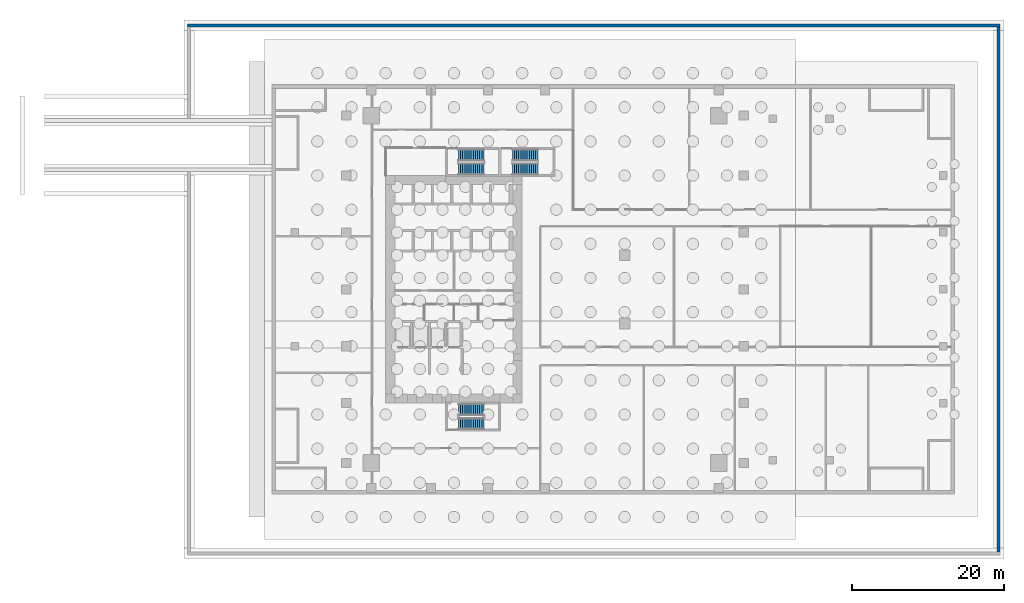
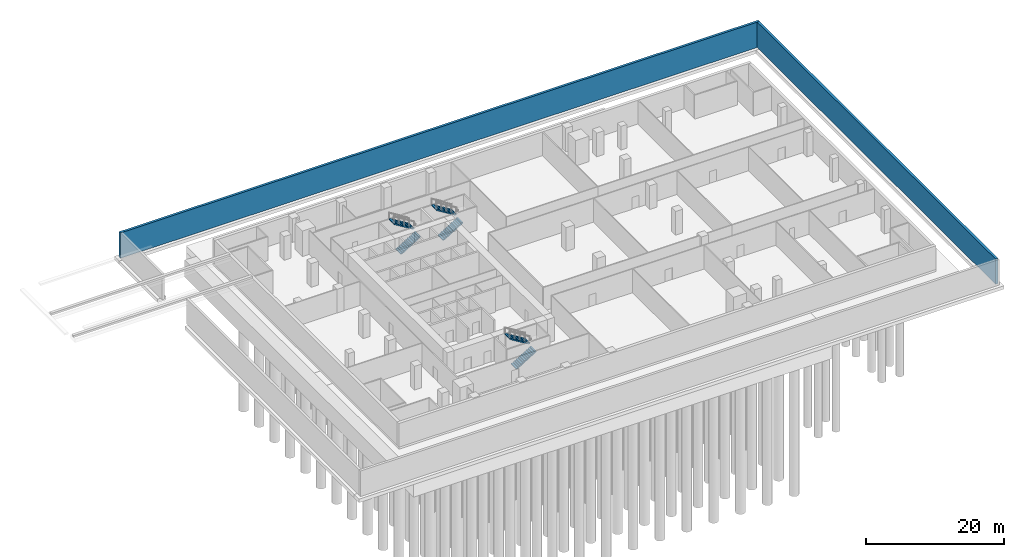
# One storey, part 8 of 10: 6 stair flights, 2 walls, 3 elements without a shape of their own.
"""IFC4 building model written with IfcOpenShell, lengths in metres."""

import ifcopenshell
import ifcopenshell.guid

model = None  # the IFC model being written
_history = None  # IfcOwnerHistory: only IFC2X3 demands one
_inside = {}  # id of a spatial element -> (the spatial element, [elements in it])
_under = {}  # id of a project, library or spatial element -> (it, [spatial elements below it])
_declared = {}  # id of a project -> (the project, [libraries it declares])
_typed = {}  # id of a type object -> (the type object, [elements of that type])
_made_of = {}  # id of a material, layer set ... -> (it, [elements and type objects made of it])


def new_model(schema):
    """Start an empty IFC model of exactly this schema.

    Asked for "IFC4X3", IfcOpenShell would pick the latest addendum, in which some entities
    have other attributes; the version numbers below select the first issue.
    IFC2X3 requires an IfcOwnerHistory on every rooted entity: one is made here for all.
    """
    global model, _history
    if schema == "IFC4X3":
        model = ifcopenshell.file(schema_version=(4, 3, 0, 0))
    else:
        model = ifcopenshell.file(schema=schema)
    _inside.clear()
    _under.clear()
    _declared.clear()
    _typed.clear()
    _made_of.clear()
    _history = None
    if model.schema == "IFC2X3":
        org = make("IfcOrganization", Name="unknown")
        user = make(
            "IfcPersonAndOrganization",
            ThePerson=make("IfcPerson", FamilyName="unknown"),
            TheOrganization=org,
        )
        app = make(
            "IfcApplication",
            ApplicationDeveloper=org,
            Version="unknown",
            ApplicationFullName="unknown",
            ApplicationIdentifier="unknown",
        )
        _history = make(
            "IfcOwnerHistory",
            OwningUser=user,
            OwningApplication=app,
            ChangeAction="ADDED",
            CreationDate=0,
        )
    return model


def make(cls, **values):
    """One entity of the class cls with the attributes given. An attribute that is None is left unset."""
    return model.create_entity(
        cls, **{name: value for name, value in values.items() if value is not None}
    )


def rooted(cls, **values):
    """An entity with a GlobalId (a new one), such as an element, a storey or a relation."""
    return make(cls, GlobalId=ifcopenshell.guid.new(), OwnerHistory=_history, **values)


def si_unit(unit_type, name, prefix=None):
    """IfcSIUnit, for example si_unit("LENGTHUNIT", "METRE", prefix="MILLI")."""
    return make("IfcSIUnit", UnitType=unit_type, Prefix=prefix, Name=name)


def assignment(units):
    """IfcUnitAssignment: the units of a project."""
    return None if units is None else make("IfcUnitAssignment", Units=units)


def point(xyz):
    """IfcCartesianPoint."""
    return None if xyz is None else make("IfcCartesianPoint", Coordinates=xyz)


def direction(xyz):
    """IfcDirection."""
    return None if xyz is None else make("IfcDirection", DirectionRatios=xyz)


def frame(location, z_axis=None, x_axis=None):
    """IfcAxis2Placement3D, a coordinate frame: its origin and axes. An axis left out is left unset."""
    return make(
        "IfcAxis2Placement3D",
        Location=point(location),
        Axis=direction(z_axis),
        RefDirection=direction(x_axis),
    )


def frame_2d(location, x_axis=None):
    """IfcAxis2Placement2D, a coordinate frame in the plane: its origin and x axis."""
    return make(
        "IfcAxis2Placement2D", Location=point(location), RefDirection=direction(x_axis)
    )


def origin():
    """The frame at (0, 0, 0) with its axes left unset."""
    return frame((0.0, 0.0, 0.0))


def place(relative_to, where):
    """IfcLocalPlacement: puts the frame where relative to a parent placement (None: the world)."""
    return make(
        "IfcLocalPlacement", PlacementRelTo=relative_to, RelativePlacement=where
    )


def context(
    kind, dimensions, precision=None, world=None, true_north=None, identifier=None
):
    """IfcGeometricRepresentationContext, for example the 3D "Model" context."""
    return make(
        "IfcGeometricRepresentationContext",
        ContextIdentifier=identifier,
        ContextType=kind,
        CoordinateSpaceDimension=dimensions,
        Precision=precision,
        WorldCoordinateSystem=world,
        TrueNorth=true_north,
    )


def subcontext(parent, identifier, kind, view, scale=None):
    """IfcGeometricRepresentationSubContext, for example "Body" below "Model"."""
    return make(
        "IfcGeometricRepresentationSubContext",
        ContextIdentifier=identifier,
        ContextType=kind,
        ParentContext=parent,
        TargetScale=scale,
        TargetView=view,
    )


def project(units=None, contexts=None):
    """IfcProject with its units and contexts."""
    return rooted(
        "IfcProject",
        Name="project",
        RepresentationContexts=contexts,
        UnitsInContext=assignment(units),
    )


def spatial(cls, under=None, at=None, **own):
    """A site, building, storey or space (cls), placed at a placement, below another one or the project."""
    s = rooted(cls, ObjectPlacement=at, **own)
    if under is not None:
        _under.setdefault(under.id(), (under, []))[1].append(s)
    return s


def polyline(points):
    """IfcPolyline through the points."""
    return make("IfcPolyline", Points=[point(p) for p in points])


def profile(cls, at=None, kind="AREA", **sizes):
    """A parametric profile (cls). Its sizes go by their IFC names, for example OverallWidth=200.0."""
    return make(cls, ProfileType=kind, Position=at, **sizes)


def rectangle(**sizes):
    """IfcRectangleProfileDef."""
    return profile("IfcRectangleProfileDef", **sizes)


def outline(outer, holes=None, kind="AREA"):
    """IfcArbitraryClosedProfileDef: a profile drawn as a closed curve; with holes, ...WithVoids."""
    if holes is None:
        return make("IfcArbitraryClosedProfileDef", ProfileType=kind, OuterCurve=outer)
    return make(
        "IfcArbitraryProfileDefWithVoids",
        ProfileType=kind,
        OuterCurve=outer,
        InnerCurves=holes,
    )


def extrude(swept, where, along, depth):
    """IfcExtrudedAreaSolid: the profile swept, set in the frame where, extruded along a direction by depth."""
    return make(
        "IfcExtrudedAreaSolid",
        SweptArea=swept,
        Position=where,
        ExtrudedDirection=direction(along),
        Depth=depth,
    )


def shape(context_of_items, identifier, shape_type, items):
    """IfcShapeRepresentation: the items that make up one representation, for example the "Body"."""
    return make(
        "IfcShapeRepresentation",
        ContextOfItems=context_of_items,
        RepresentationIdentifier=identifier,
        RepresentationType=shape_type,
        Items=items,
    )


def source(mapping_origin, context_of_items, identifier, shape_type, items):
    """IfcRepresentationMap: a shape defined once, which mapped items show again and again."""
    return make(
        "IfcRepresentationMap",
        MappingOrigin=mapping_origin,
        MappedRepresentation=shape(context_of_items, identifier, shape_type, items),
    )


def transform(
    local_origin,
    x_axis=None,
    y_axis=None,
    z_axis=None,
    scale=None,
    scale2=None,
    scale3=None,
    uniform=True,
):
    """IfcCartesianTransformationOperator3D, or its non-uniform kind. x_axis, y_axis, z_axis: its Axis1, 2, 3."""
    if uniform:
        return make(
            "IfcCartesianTransformationOperator3D",
            Axis1=direction(x_axis),
            Axis2=direction(y_axis),
            LocalOrigin=point(local_origin),
            Scale=scale,
            Axis3=direction(z_axis),
        )
    return make(
        "IfcCartesianTransformationOperator3DnonUniform",
        Axis1=direction(x_axis),
        Axis2=direction(y_axis),
        LocalOrigin=point(local_origin),
        Scale=scale,
        Axis3=direction(z_axis),
        Scale2=scale2,
        Scale3=scale3,
    )


def mapped(mapping_source, mapping_target):
    """IfcMappedItem: shows the shape of a source again, moved by a transform."""
    return make(
        "IfcMappedItem", MappingSource=mapping_source, MappingTarget=mapping_target
    )


def material(Name=None, Category=None):
    """IfcMaterial."""
    return make("IfcMaterial", Name=Name, Category=Category)


def layer(
    of_material, thickness, ventilated=None, Name=None, Category=None, Priority=None
):
    """IfcMaterialLayer: one layer of a wall or slab, of a material (None: an air gap)."""
    return make(
        "IfcMaterialLayer",
        Material=of_material,
        LayerThickness=thickness,
        IsVentilated=ventilated,
        Name=Name,
        Category=Category,
        Priority=Priority,
    )


def layer_set(layers, Name=None):
    """IfcMaterialLayerSet."""
    return make("IfcMaterialLayerSet", MaterialLayers=layers, LayerSetName=Name)


def made_of(thing, what):
    """Note that an element or type object is made of a material, layer set ...; save() writes the relation."""
    if what is not None:
        _made_of.setdefault(what.id(), (what, []))[1].append(thing)
    return thing


def type_object(cls, material=None, **own):
    """A type object (cls), such as IfcWallType, which elements share."""
    return made_of(rooted(cls, **own), material)


def element(
    cls,
    number,
    at=None,
    inside=None,
    cuts=None,
    type_object=None,
    material=None,
    context=None,
    identifier="Body",
    shape_type=None,
    held_by="IfcProductDefinitionShape",
    body=None,
    shapes=None,
    **own,
):
    """One element of the class cls, such as IfcWall. Its Tag is "e" and its number.

    at: its placement. inside: the storey or other place that contains it. cuts: it is an
    opening in that element (IfcRelVoidsElement). A single representation is given by context,
    identifier, shape_type and body (its items); several are given by shapes. held_by: the class
    of the entity that holds the representations. save() writes the other relations.
    """
    e = rooted(cls, Tag="e%d" % number, ObjectPlacement=at, **own)
    if body is not None:
        shapes = [shape(context, identifier, shape_type, body)]
    if shapes is not None:
        e.Representation = make(held_by, Representations=shapes)
    if inside is not None:
        _inside.setdefault(inside.id(), (inside, []))[1].append(e)
    if cuts is not None:
        rooted(
            "IfcRelVoidsElement", RelatingBuildingElement=cuts, RelatedOpeningElement=e
        )
    if type_object is not None:
        _typed.setdefault(type_object.id(), (type_object, []))[1].append(e)
    return made_of(e, material)


def aggregate(whole, parts):
    """IfcRelAggregates: a whole, such as a stair, and the parts it consists of."""
    return rooted("IfcRelAggregates", RelatingObject=whole, RelatedObjects=parts)


def save(model, path):
    """Write the relations noted so far, then the file.

    IfcRelAggregates (storeys below a building ...), IfcRelContainedInSpatialStructure (elements
    in a storey), IfcRelDefinesByType, IfcRelAssociatesMaterial and IfcRelDeclares: one each for
    every whole, place, type object, material and project.
    """
    for whole, parts in _under.values():
        aggregate(whole, parts)
    for where, things in _inside.values():
        rooted(
            "IfcRelContainedInSpatialStructure",
            RelatedElements=things,
            RelatingStructure=where,
        )
    for kind, things in _typed.values():
        rooted("IfcRelDefinesByType", RelatedObjects=things, RelatingType=kind)
    for what, things in _made_of.values():
        rooted("IfcRelAssociatesMaterial", RelatedObjects=things, RelatingMaterial=what)
    for by, libraries in _declared.values():
        rooted("IfcRelDeclares", RelatingContext=by, RelatedDefinitions=libraries)
    model.write(path)


model = new_model("IFC4")

# Units and contexts
model_context = context("Model", 3, precision=1e-05, world=origin(), true_north=direction((0.0, 1.0)))
body_context = subcontext(model_context, "Body", "Model", "MODEL_VIEW")
ifc_project = project(units=[si_unit("LENGTHUNIT", "METRE"), si_unit("AREAUNIT", "SQUARE_METRE"), si_unit("VOLUMEUNIT", "CUBIC_METRE"), si_unit("PLANEANGLEUNIT", "RADIAN"), si_unit("MASSUNIT", "GRAM", prefix="KILO")], contexts=[model_context])

# Site, building, storey
site_placement = place(None, origin())
site = spatial("IfcSite", under=ifc_project, at=site_placement, CompositionType="ELEMENT")
building_placement = place(site_placement, origin())
building = spatial("IfcBuilding", under=site, at=building_placement, Name="Khomas Fold Tower", CompositionType="ELEMENT")
storey_placement = place(building_placement, frame((0.0, 0.0, -9.0)))
storey = spatial("IfcBuildingStorey", under=building, at=storey_placement, Name="B2", CompositionType="ELEMENT", Elevation=-9.0)

# Walls
ifc_material_1 = material(Name="Concrete C40/50", Category="concrete")
ifc_layer = layer(ifc_material_1, 0.39990234375)
ifc_layer_set = layer_set([ifc_layer], Name="Concrete C40/50")
wall_type = type_object("IfcWallType", Name="Plaza retaining wall 400", PredefinedType="SOLIDWALL", material=ifc_layer_set)
shared_shape_1 = source(origin(), body_context, "Body", "SweptSolid", [
    extrude(rectangle(XDim=107.09814453125, YDim=0.39990234375, at=frame_2d((53.549072265625, 0.0))), origin(), (0.0, 0.0, 1.0), 4.5),
])
wall_1_placement = place(storey_placement, frame((-20.09814453125, 61.800048828125, 0.0), z_axis=(0.0, 0.0, 1.0), x_axis=(1.0, 0.0, 0.0)))
element("IfcWall", 1, at=wall_1_placement, inside=storey, type_object=wall_type, Name="Plaza retaining wall", PredefinedType="SOLIDWALL", context=body_context, shape_type="MappedRepresentation", body=[
    mapped(shared_shape_1, transform((0.0, 0.0, 0.0))),
])
shared_shape_2 = source(origin(), body_context, "Body", "SweptSolid", [
    extrude(rectangle(XDim=69.2001953125, YDim=0.39990234375, at=frame_2d((34.60009765625, 0.0))), origin(), (0.0, 0.0, 1.0), 4.5),
])
wall_2_placement = place(storey_placement, frame((86.800048828125, 61.60009765625, 0.0), z_axis=(0.0, 0.0, 1.0), x_axis=(0.0, -1.0, 0.0)))
element("IfcWall", 2, at=wall_2_placement, inside=storey, type_object=wall_type, Name="Plaza retaining wall", PredefinedType="SOLIDWALL", context=body_context, shape_type="MappedRepresentation", body=[
    mapped(shared_shape_2, transform((0.0, 0.0, 0.0))),
])

# Stair, stair flights
ifc_material_2 = material(Name="Concrete C40/50", Category="concrete")
stair_type_1 = type_object("IfcStairType", Name="Stair ST1", PredefinedType="HALF_TURN_STAIR", material=ifc_material_2)
stair_1_placement = place(storey_placement, origin())
stair_1 = element("IfcStair", 3, at=stair_1_placement, inside=storey, type_object=stair_type_1, Name="B2 ST1", PredefinedType="HALF_TURN_STAIR")
ifc_material_3 = material(Name="Concrete C40/50", Category="concrete")
stair_flight_type_1 = type_object("IfcStairFlightType", Name="Stair flight 1500 ST1", PredefinedType="STRAIGHT", material=ifc_material_3)
shared_shape_3 = source(origin(), body_context, "Body", "SweptSolid", [
    extrude(outline(polyline([(0.0, 0.0), (0.0, 0.013427734375), (0.0, 0.026611328125), (0.0, 0.0400390625), (0.0, 0.05322265625), (0.0, 0.066650390625), (0.0, 0.079833984375), (0.0, 0.09326171875), (0.0, 0.1064453125), (0.0, 0.119873046875), (0.0, 0.133056640625), (0.0, 0.146484375), (0.0, 0.15966796875), (0.0, 0.173095703125), (0.280029296875, 0.173095703125), (0.280029296875, 0.34619140625), (0.56005859375, 0.34619140625), (0.56005859375, 0.519287109375), (0.840087890625, 0.519287109375), (0.840087890625, 0.6923828125), (1.1201171875, 0.6923828125), (1.1201171875, 0.865478515625), (1.39990234375, 0.865478515625), (1.39990234375, 1.03857421875), (1.679931640625, 1.03857421875), (1.679931640625, 1.21142578125), (1.9599609375, 1.21142578125), (1.9599609375, 1.384521484375), (2.239990234375, 1.384521484375), (2.239990234375, 1.5576171875), (2.52001953125, 1.5576171875), (2.52001953125, 1.730712890625), (2.800048828125, 1.730712890625), (2.800048828125, 1.90380859375), (3.080078125, 1.90380859375), (3.080078125, 2.076904296875), (3.360107421875, 2.076904296875), (3.360107421875, 2.25), (3.360107421875, 2.22314453125), (3.360107421875, 2.1962890625), (3.360107421875, 2.16943359375), (3.360107421875, 2.142578125), (3.360107421875, 2.11572265625), (3.360107421875, 2.0888671875), (3.360107421875, 2.06201171875), (3.360107421875, 2.03515625), (3.360107421875, 2.008056640625), (3.360107421875, 1.981201171875), (3.360107421875, 1.954345703125), (3.360107421875, 1.927490234375), (3.360107421875, 1.900634765625), (0.28515625, 0.0), (0.0, 0.0)])), frame((0.0, 0.75, 0.0), z_axis=(0.0, -1.0, 0.0), x_axis=(1.0, 0.0, 0.0)), (0.0, 0.0, 1.0), 1.5),
])
stair_flight_1_placement = place(storey_placement, frame((15.60009765625, 42.85009765625, 0.0), z_axis=(0.0, 0.0, 1.0), x_axis=(1.0, 0.0, 0.0)))
stair_flight_1 = element("IfcStairFlight", 4, at=stair_flight_1_placement, type_object=stair_flight_type_1, Name="ST1 flight 1", NumberOfRisers=13, NumberOfTreads=12, PredefinedType="STRAIGHT", RiserHeight=0.173076923, TreadLength=0.28, context=body_context, shape_type="MappedRepresentation", body=[
    mapped(shared_shape_3, transform((0.0, 0.0, 0.0))),
])
stair_flight_2_placement = place(storey_placement, frame((18.9599609375, 44.699951171875, 2.25), z_axis=(0.0, 0.0, 1.0), x_axis=(-1.0, 0.0, 0.0)))
stair_flight_2 = element("IfcStairFlight", 5, at=stair_flight_2_placement, type_object=stair_flight_type_1, Name="ST1 flight 2", NumberOfRisers=13, NumberOfTreads=12, PredefinedType="STRAIGHT", RiserHeight=0.173076923, TreadLength=0.28, context=body_context, shape_type="MappedRepresentation", body=[
    mapped(shared_shape_3, transform((0.0, 0.0, 0.0))),
])
aggregate(stair_1, [stair_flight_1, stair_flight_2])

ifc_material_4 = material(Name="Concrete C40/50", Category="concrete")
stair_type_2 = type_object("IfcStairType", Name="Stair ST2", PredefinedType="HALF_TURN_STAIR", material=ifc_material_4)
stair_2_placement = place(storey_placement, origin())
stair_2 = element("IfcStair", 6, at=stair_2_placement, inside=storey, type_object=stair_type_2, Name="B2 ST2", PredefinedType="HALF_TURN_STAIR")
ifc_material_5 = material(Name="Concrete C40/50", Category="concrete")
stair_flight_type_2 = type_object("IfcStairFlightType", Name="Stair flight 1500 ST2", PredefinedType="STRAIGHT", material=ifc_material_5)
stair_flight_3_placement = place(storey_placement, frame((15.60009765625, 9.300048828125, 0.0), z_axis=(0.0, 0.0, 1.0), x_axis=(1.0, 0.0, 0.0)))
stair_flight_3 = element("IfcStairFlight", 7, at=stair_flight_3_placement, type_object=stair_flight_type_2, Name="ST2 flight 1", NumberOfRisers=13, NumberOfTreads=12, PredefinedType="STRAIGHT", RiserHeight=0.173076923, TreadLength=0.28, context=body_context, shape_type="MappedRepresentation", body=[
    mapped(shared_shape_3, transform((0.0, 0.0, 0.0))),
])
stair_flight_4_placement = place(storey_placement, frame((18.9599609375, 11.14990234375, 2.25), z_axis=(0.0, 0.0, 1.0), x_axis=(-1.0, 0.0, 0.0)))
stair_flight_4 = element("IfcStairFlight", 8, at=stair_flight_4_placement, type_object=stair_flight_type_2, Name="ST2 flight 2", NumberOfRisers=13, NumberOfTreads=12, PredefinedType="STRAIGHT", RiserHeight=0.173076923, TreadLength=0.28, context=body_context, shape_type="MappedRepresentation", body=[
    mapped(shared_shape_3, transform((0.0, 0.0, 0.0))),
])
aggregate(stair_2, [stair_flight_3, stair_flight_4])

ifc_material_6 = material(Name="Concrete C40/50", Category="concrete")
stair_type_3 = type_object("IfcStairType", Name="Stair ST3", PredefinedType="HALF_TURN_STAIR", material=ifc_material_6)
stair_3_placement = place(storey_placement, origin())
stair_3 = element("IfcStair", 9, at=stair_3_placement, inside=storey, type_object=stair_type_3, Name="B2 ST3", PredefinedType="HALF_TURN_STAIR")
ifc_material_7 = material(Name="Concrete C40/50", Category="concrete")
stair_flight_type_3 = type_object("IfcStairFlightType", Name="Stair flight 1500 ST3", PredefinedType="STRAIGHT", material=ifc_material_7)
stair_flight_5_placement = place(storey_placement, frame((22.699951171875, 42.85009765625, 0.0), z_axis=(0.0, 0.0, 1.0), x_axis=(1.0, 0.0, 0.0)))
stair_flight_5 = element("IfcStairFlight", 10, at=stair_flight_5_placement, type_object=stair_flight_type_3, Name="ST3 flight 1", NumberOfRisers=13, NumberOfTreads=12, PredefinedType="STRAIGHT", RiserHeight=0.173076923, TreadLength=0.28, context=body_context, shape_type="MappedRepresentation", body=[
    mapped(shared_shape_3, transform((0.0, 0.0, 0.0))),
])
stair_flight_6_placement = place(storey_placement, frame((26.06005859375, 44.699951171875, 2.25), z_axis=(0.0, 0.0, 1.0), x_axis=(-1.0, 0.0, 0.0)))
stair_flight_6 = element("IfcStairFlight", 11, at=stair_flight_6_placement, type_object=stair_flight_type_3, Name="ST3 flight 2", NumberOfRisers=13, NumberOfTreads=12, PredefinedType="STRAIGHT", RiserHeight=0.173076923, TreadLength=0.28, context=body_context, shape_type="MappedRepresentation", body=[
    mapped(shared_shape_3, transform((0.0, 0.0, 0.0))),
])
aggregate(stair_3, [stair_flight_5, stair_flight_6])

save(model, "model.ifc")
